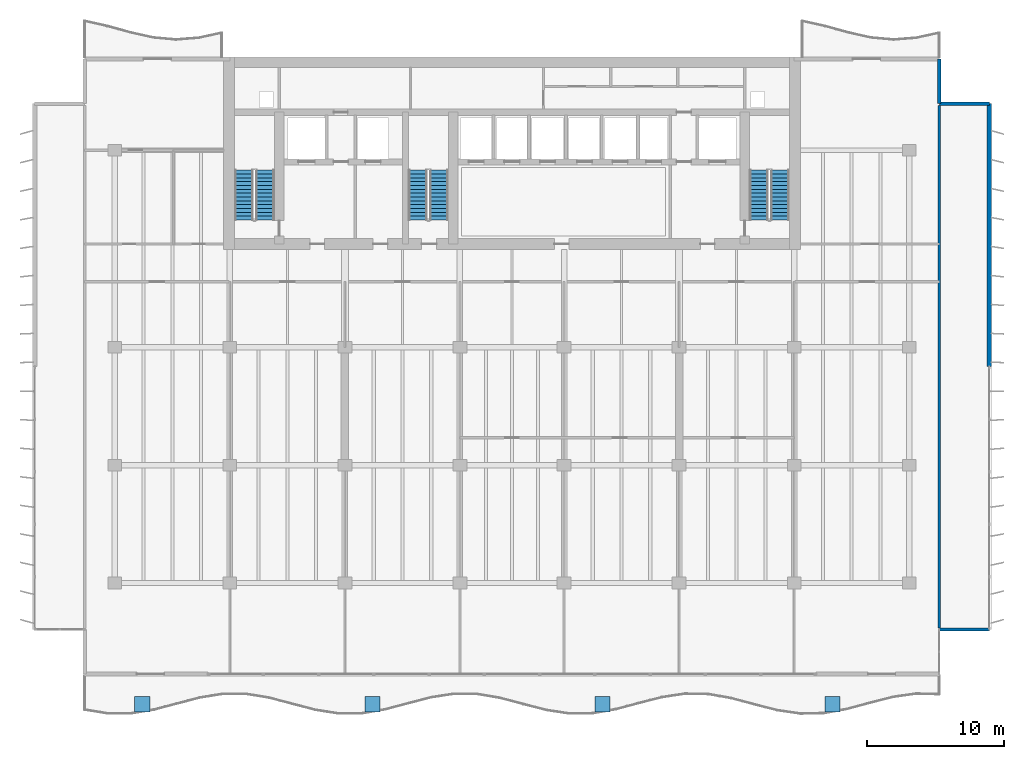
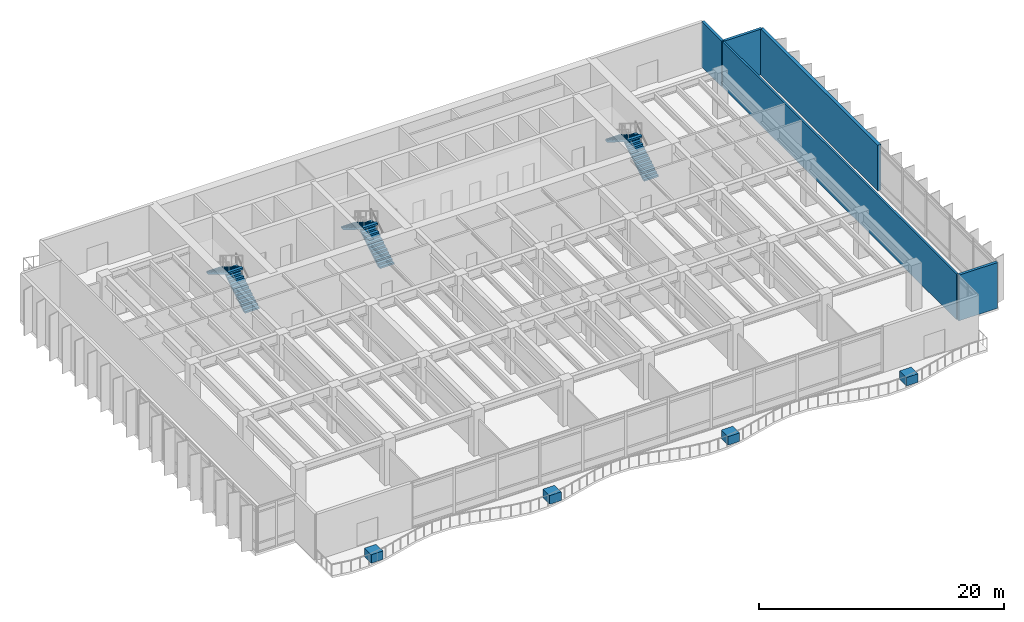
# One storey, part 12 of 16: 6 stair flights, 5 walls, 4 discrete accessories, 3 elements without a shape of their own.
"""IFC4 building model written with IfcOpenShell, lengths in metres."""

import ifcopenshell
import ifcopenshell.guid

model = None  # the IFC model being written
_history = None  # IfcOwnerHistory: only IFC2X3 demands one
_inside = {}  # id of a spatial element -> (the spatial element, [elements in it])
_under = {}  # id of a project, library or spatial element -> (it, [spatial elements below it])
_declared = {}  # id of a project -> (the project, [libraries it declares])
_typed = {}  # id of a type object -> (the type object, [elements of that type])
_made_of = {}  # id of a material, layer set ... -> (it, [elements and type objects made of it])


def new_model(schema):
    """Start an empty IFC model of exactly this schema.

    Asked for "IFC4X3", IfcOpenShell would pick the latest addendum, in which some entities
    have other attributes; the version numbers below select the first issue.
    IFC2X3 requires an IfcOwnerHistory on every rooted entity: one is made here for all.
    """
    global model, _history
    if schema == "IFC4X3":
        model = ifcopenshell.file(schema_version=(4, 3, 0, 0))
    else:
        model = ifcopenshell.file(schema=schema)
    _inside.clear()
    _under.clear()
    _declared.clear()
    _typed.clear()
    _made_of.clear()
    _history = None
    if model.schema == "IFC2X3":
        org = make("IfcOrganization", Name="unknown")
        user = make(
            "IfcPersonAndOrganization",
            ThePerson=make("IfcPerson", FamilyName="unknown"),
            TheOrganization=org,
        )
        app = make(
            "IfcApplication",
            ApplicationDeveloper=org,
            Version="unknown",
            ApplicationFullName="unknown",
            ApplicationIdentifier="unknown",
        )
        _history = make(
            "IfcOwnerHistory",
            OwningUser=user,
            OwningApplication=app,
            ChangeAction="ADDED",
            CreationDate=0,
        )
    return model


def make(cls, **values):
    """One entity of the class cls with the attributes given. An attribute that is None is left unset."""
    return model.create_entity(
        cls, **{name: value for name, value in values.items() if value is not None}
    )


def rooted(cls, **values):
    """An entity with a GlobalId (a new one), such as an element, a storey or a relation."""
    return make(cls, GlobalId=ifcopenshell.guid.new(), OwnerHistory=_history, **values)


def si_unit(unit_type, name, prefix=None):
    """IfcSIUnit, for example si_unit("LENGTHUNIT", "METRE", prefix="MILLI")."""
    return make("IfcSIUnit", UnitType=unit_type, Prefix=prefix, Name=name)


def assignment(units):
    """IfcUnitAssignment: the units of a project."""
    return None if units is None else make("IfcUnitAssignment", Units=units)


def point(xyz):
    """IfcCartesianPoint."""
    return None if xyz is None else make("IfcCartesianPoint", Coordinates=xyz)


def direction(xyz):
    """IfcDirection."""
    return None if xyz is None else make("IfcDirection", DirectionRatios=xyz)


def frame(location, z_axis=None, x_axis=None):
    """IfcAxis2Placement3D, a coordinate frame: its origin and axes. An axis left out is left unset."""
    return make(
        "IfcAxis2Placement3D",
        Location=point(location),
        Axis=direction(z_axis),
        RefDirection=direction(x_axis),
    )


def frame_2d(location, x_axis=None):
    """IfcAxis2Placement2D, a coordinate frame in the plane: its origin and x axis."""
    return make(
        "IfcAxis2Placement2D", Location=point(location), RefDirection=direction(x_axis)
    )


def origin():
    """The frame at (0, 0, 0) with its axes left unset."""
    return frame((0.0, 0.0, 0.0))


def origin_2d():
    """The frame at (0, 0) in the plane with its x axis left unset."""
    return frame_2d((0.0, 0.0))


def place(relative_to, where):
    """IfcLocalPlacement: puts the frame where relative to a parent placement (None: the world)."""
    return make(
        "IfcLocalPlacement", PlacementRelTo=relative_to, RelativePlacement=where
    )


def context(
    kind, dimensions, precision=None, world=None, true_north=None, identifier=None
):
    """IfcGeometricRepresentationContext, for example the 3D "Model" context."""
    return make(
        "IfcGeometricRepresentationContext",
        ContextIdentifier=identifier,
        ContextType=kind,
        CoordinateSpaceDimension=dimensions,
        Precision=precision,
        WorldCoordinateSystem=world,
        TrueNorth=true_north,
    )


def subcontext(parent, identifier, kind, view, scale=None):
    """IfcGeometricRepresentationSubContext, for example "Body" below "Model"."""
    return make(
        "IfcGeometricRepresentationSubContext",
        ContextIdentifier=identifier,
        ContextType=kind,
        ParentContext=parent,
        TargetScale=scale,
        TargetView=view,
    )


def project(units=None, contexts=None):
    """IfcProject with its units and contexts."""
    return rooted(
        "IfcProject",
        Name="project",
        RepresentationContexts=contexts,
        UnitsInContext=assignment(units),
    )


def spatial(cls, under=None, at=None, **own):
    """A site, building, storey or space (cls), placed at a placement, below another one or the project."""
    s = rooted(cls, ObjectPlacement=at, **own)
    if under is not None:
        _under.setdefault(under.id(), (under, []))[1].append(s)
    return s


def polyline(points):
    """IfcPolyline through the points."""
    return make("IfcPolyline", Points=[point(p) for p in points])


def profile(cls, at=None, kind="AREA", **sizes):
    """A parametric profile (cls). Its sizes go by their IFC names, for example OverallWidth=200.0."""
    return make(cls, ProfileType=kind, Position=at, **sizes)


def rectangle(**sizes):
    """IfcRectangleProfileDef."""
    return profile("IfcRectangleProfileDef", **sizes)


def outline(outer, holes=None, kind="AREA"):
    """IfcArbitraryClosedProfileDef: a profile drawn as a closed curve; with holes, ...WithVoids."""
    if holes is None:
        return make("IfcArbitraryClosedProfileDef", ProfileType=kind, OuterCurve=outer)
    return make(
        "IfcArbitraryProfileDefWithVoids",
        ProfileType=kind,
        OuterCurve=outer,
        InnerCurves=holes,
    )


def extrude(swept, where, along, depth):
    """IfcExtrudedAreaSolid: the profile swept, set in the frame where, extruded along a direction by depth."""
    return make(
        "IfcExtrudedAreaSolid",
        SweptArea=swept,
        Position=where,
        ExtrudedDirection=direction(along),
        Depth=depth,
    )


def shape(context_of_items, identifier, shape_type, items):
    """IfcShapeRepresentation: the items that make up one representation, for example the "Body"."""
    return make(
        "IfcShapeRepresentation",
        ContextOfItems=context_of_items,
        RepresentationIdentifier=identifier,
        RepresentationType=shape_type,
        Items=items,
    )


def material(Name=None, Category=None):
    """IfcMaterial."""
    return make("IfcMaterial", Name=Name, Category=Category)


def layer(
    of_material, thickness, ventilated=None, Name=None, Category=None, Priority=None
):
    """IfcMaterialLayer: one layer of a wall or slab, of a material (None: an air gap)."""
    return make(
        "IfcMaterialLayer",
        Material=of_material,
        LayerThickness=thickness,
        IsVentilated=ventilated,
        Name=Name,
        Category=Category,
        Priority=Priority,
    )


def layer_set(layers, Name=None):
    """IfcMaterialLayerSet."""
    return make("IfcMaterialLayerSet", MaterialLayers=layers, LayerSetName=Name)


def made_of(thing, what):
    """Note that an element or type object is made of a material, layer set ...; save() writes the relation."""
    if what is not None:
        _made_of.setdefault(what.id(), (what, []))[1].append(thing)
    return thing


def type_object(cls, material=None, **own):
    """A type object (cls), such as IfcWallType, which elements share."""
    return made_of(rooted(cls, **own), material)


def element(
    cls,
    number,
    at=None,
    inside=None,
    cuts=None,
    type_object=None,
    material=None,
    context=None,
    identifier="Body",
    shape_type=None,
    held_by="IfcProductDefinitionShape",
    body=None,
    shapes=None,
    **own,
):
    """One element of the class cls, such as IfcWall. Its Tag is "e" and its number.

    at: its placement. inside: the storey or other place that contains it. cuts: it is an
    opening in that element (IfcRelVoidsElement). A single representation is given by context,
    identifier, shape_type and body (its items); several are given by shapes. held_by: the class
    of the entity that holds the representations. save() writes the other relations.
    """
    e = rooted(cls, Tag="e%d" % number, ObjectPlacement=at, **own)
    if body is not None:
        shapes = [shape(context, identifier, shape_type, body)]
    if shapes is not None:
        e.Representation = make(held_by, Representations=shapes)
    if inside is not None:
        _inside.setdefault(inside.id(), (inside, []))[1].append(e)
    if cuts is not None:
        rooted(
            "IfcRelVoidsElement", RelatingBuildingElement=cuts, RelatedOpeningElement=e
        )
    if type_object is not None:
        _typed.setdefault(type_object.id(), (type_object, []))[1].append(e)
    return made_of(e, material)


def aggregate(whole, parts):
    """IfcRelAggregates: a whole, such as a stair, and the parts it consists of."""
    return rooted("IfcRelAggregates", RelatingObject=whole, RelatedObjects=parts)


def save(model, path):
    """Write the relations noted so far, then the file.

    IfcRelAggregates (storeys below a building ...), IfcRelContainedInSpatialStructure (elements
    in a storey), IfcRelDefinesByType, IfcRelAssociatesMaterial and IfcRelDeclares: one each for
    every whole, place, type object, material and project.
    """
    for whole, parts in _under.values():
        aggregate(whole, parts)
    for where, things in _inside.values():
        rooted(
            "IfcRelContainedInSpatialStructure",
            RelatedElements=things,
            RelatingStructure=where,
        )
    for kind, things in _typed.values():
        rooted("IfcRelDefinesByType", RelatedObjects=things, RelatingType=kind)
    for what, things in _made_of.values():
        rooted("IfcRelAssociatesMaterial", RelatedObjects=things, RelatingMaterial=what)
    for by, libraries in _declared.values():
        rooted("IfcRelDeclares", RelatingContext=by, RelatedDefinitions=libraries)
    model.write(path)


model = new_model("IFC4")

# Units and contexts
model_context = context("Model", 3, precision=1e-05, world=origin(), true_north=direction((0.0, 1.0)))
body_context = subcontext(model_context, "Body", "Model", "MODEL_VIEW")
ifc_project = project(units=[si_unit("LENGTHUNIT", "METRE"), si_unit("AREAUNIT", "SQUARE_METRE"), si_unit("VOLUMEUNIT", "CUBIC_METRE"), si_unit("PLANEANGLEUNIT", "RADIAN"), si_unit("MASSUNIT", "GRAM", prefix="KILO")], contexts=[model_context])

# Site, building, storey
site_placement = place(None, origin())
site = spatial("IfcSite", under=ifc_project, at=site_placement, CompositionType="ELEMENT")
building_placement = place(site_placement, origin())
building = spatial("IfcBuilding", under=site, at=building_placement, Name="Caelmar Bay Residences", CompositionType="ELEMENT")
storey_placement = place(building_placement, frame((0.0, 0.0, 97.800048828125)))
storey = spatial("IfcBuildingStorey", under=building, at=storey_placement, Name="L26", CompositionType="ELEMENT", Elevation=97.800048828125)

# Walls
ifc_material_1 = material(Name="Double-stud acoustic fire-rated gypsum partition 180 mm")
ifc_layer_1 = layer(ifc_material_1, 0.179931640625)
ifc_layer_set_1 = layer_set([ifc_layer_1], Name="Double-stud acoustic fire-rated gypsum partition 180 mm")
wall_type_1 = type_object("IfcWallType", Name="W-COR-200", PredefinedType="PARTITIONING", material=ifc_layer_set_1)
wall_1_placement = place(storey_placement, frame((70.10009765625, 8.919921875, 0.0), z_axis=(0.0, 0.0, 1.0), x_axis=(0.0, 1.0, 0.0)))
element("IfcWall", 1, at=wall_1_placement, inside=storey, type_object=wall_type_1, Name="L26 Partition Wall V028", PredefinedType="PARTITIONING", context=body_context, shape_type="SweptSolid", body=[
    extrude(rectangle(XDim=38.16015625, YDim=0.179931640625, at=frame_2d((19.080078125, 0.0))), origin(), (0.0, 0.0, 1.0), 4.550048828125),
])
ifc_material_2 = material(Name="Precast concrete f'c 40 MPa (6,000 psi)", Category="concrete")
ifc_layer_2 = layer(ifc_material_2, 0.25)
ifc_layer_set_2 = layer_set([ifc_layer_2], Name="Precast concrete f'c 40 MPa (6,000 psi)")
wall_type_2 = type_object("IfcWallType", Name="W-EXT-250", PredefinedType="ELEMENTEDWALL", material=ifc_layer_set_2)
wall_2_placement = place(storey_placement, frame((70.10009765625, 8.800048828125, 0.0), z_axis=(0.0, 0.0, 1.0), x_axis=(1.0, 0.0, 0.0)))
element("IfcWall", 2, at=wall_2_placement, inside=storey, type_object=wall_type_2, Name="L26 SE Notch Return Wall", PredefinedType="ELEMENTEDWALL", context=body_context, shape_type="SweptSolid", body=[
    extrude(rectangle(XDim=3.64990234375, YDim=0.25, at=frame_2d((1.824951171875, 0.0))), origin(), (0.0, 0.0, 1.0), 4.550048828125),
])
wall_3_placement = place(storey_placement, frame((70.10009765625, 50.449951171875, 0.0), z_axis=(0.0, 0.0, 1.0), x_axis=(0.0, -1.0, 0.0)))
element("IfcWall", 3, at=wall_3_placement, inside=storey, type_object=wall_type_2, Name="L26 NNE-V Notch Wall", PredefinedType="ELEMENTEDWALL", context=body_context, shape_type="SweptSolid", body=[
    extrude(rectangle(XDim=3.25, YDim=0.25, at=frame_2d((1.625, 0.0))), origin(), (0.0, 0.0, 1.0), 4.550048828125),
])
wall_4_placement = place(storey_placement, frame((70.10009765625, 47.199951171875, 0.0), z_axis=(0.0, 0.0, 1.0), x_axis=(1.0, 0.0, 0.0)))
element("IfcWall", 4, at=wall_4_placement, inside=storey, type_object=wall_type_2, Name="L26 NNE-H Notch Wall", PredefinedType="ELEMENTEDWALL", context=body_context, shape_type="SweptSolid", body=[
    extrude(rectangle(XDim=3.64990234375, YDim=0.25, at=frame_2d((1.824951171875, 0.0))), origin(), (0.0, 0.0, 1.0), 4.550048828125),
])
ifc_layer_3 = layer(ifc_material_2, 0.300048828125)
ifc_layer_set_3 = layer_set([ifc_layer_3], Name="Precast concrete f'c 40 MPa (6,000 psi)")
wall_type_3 = type_object("IfcWallType", Name="W-EXT-300", PredefinedType="STANDARD", material=ifc_layer_set_3)
wall_5_placement = place(storey_placement, frame((73.75, 47.199951171875, 0.0), z_axis=(0.0, 0.0, 1.0), x_axis=(0.0, -1.0, 0.0)))
element("IfcWall", 5, at=wall_5_placement, inside=storey, type_object=wall_type_3, Name="L26 East Rear Exterior Wall", PredefinedType="STANDARD", context=body_context, shape_type="SweptSolid", body=[
    extrude(rectangle(XDim=19.199951171875, YDim=0.300048828125, at=frame_2d((9.60009765625, 0.0))), origin(), (0.0, 0.0, 1.0), 4.550048828125),
])

# Stair, stair flights
ifc_material_3 = material(Name="Concrete f'c 40 MPa (6,000 psi)", Category="concrete")
stair_type = type_object("IfcStairType", Name="ST-TAL-170", PredefinedType="HALF_TURN_STAIR", material=ifc_material_3)
stair_1_placement = place(storey_placement, origin())
stair_1 = element("IfcStair", 6, at=stair_1_placement, inside=storey, type_object=stair_type, Name="L26 West Smokeproof Exit Stair ST1", PredefinedType="HALF_TURN_STAIR")
stair_flight_type = type_object("IfcStairFlightType", Name="STF-1400", PredefinedType="STRAIGHT", material=ifc_material_2)
stair_flight_1_placement = place(storey_placement, frame((20.875, 38.699951171875, 0.0), z_axis=(0.0, 0.0, 1.0), x_axis=(0.0, 1.0, 0.0)))
stair_flight_1 = element("IfcStairFlight", 7, at=stair_flight_1_placement, type_object=stair_flight_type, Name="ST1 flight 1", NumberOfRisers=14, NumberOfTreads=13, PredefinedType="STRAIGHT", RiserHeight=0.171428571, TreadLength=0.28, context=body_context, shape_type="SweptSolid", body=[
    extrude(outline(polyline([(0.0, 0.0), (0.0, 0.17138671875), (0.280029296875, 0.17138671875), (0.280029296875, 0.3427734375), (0.56005859375, 0.3427734375), (0.56005859375, 0.514404296875), (0.840087890625, 0.514404296875), (0.840087890625, 0.685791015625), (1.1201171875, 0.685791015625), (1.1201171875, 0.857177734375), (1.39990234375, 0.857177734375), (1.39990234375, 1.028564453125), (1.679931640625, 1.028564453125), (1.679931640625, 1.199951171875), (1.9599609375, 1.199951171875), (1.9599609375, 1.371337890625), (2.239990234375, 1.371337890625), (2.239990234375, 1.54296875), (2.52001953125, 1.54296875), (2.52001953125, 1.71435546875), (2.800048828125, 1.71435546875), (2.800048828125, 1.8857421875), (3.080078125, 1.8857421875), (3.080078125, 2.05712890625), (3.360107421875, 2.05712890625), (3.360107421875, 2.228515625), (3.639892578125, 2.228515625), (3.639892578125, 2.39990234375), (3.639892578125, 2.052734375), (0.287109375, 0.0), (0.0, 0.0)])), frame((0.0, 0.675048828125, 0.0), z_axis=(0.0, -1.0, 0.0), x_axis=(1.0, 0.0, 0.0)), (0.0, 0.0, 1.0), 1.35009765625),
])
stair_flight_2_placement = place(storey_placement, frame((19.324951171875, 42.340087890625, 2.39990234375), z_axis=(0.0, 0.0, 1.0), x_axis=(0.0, -1.0, 0.0)))
stair_flight_2 = element("IfcStairFlight", 8, at=stair_flight_2_placement, type_object=stair_flight_type, Name="ST1 flight 2", NumberOfRisers=14, NumberOfTreads=13, PredefinedType="STRAIGHT", RiserHeight=0.171428571, TreadLength=0.28, context=body_context, shape_type="SweptSolid", body=[
    extrude(outline(polyline([(0.0, 0.0), (0.0, 0.17138671875), (0.280029296875, 0.17138671875), (0.280029296875, 0.3427734375), (0.56005859375, 0.3427734375), (0.56005859375, 0.514404296875), (0.840087890625, 0.514404296875), (0.840087890625, 0.685791015625), (1.1201171875, 0.685791015625), (1.1201171875, 0.857177734375), (1.39990234375, 0.857177734375), (1.39990234375, 1.028564453125), (1.679931640625, 1.028564453125), (1.679931640625, 1.199951171875), (1.9599609375, 1.199951171875), (1.9599609375, 1.371337890625), (2.239990234375, 1.371337890625), (2.239990234375, 1.54296875), (2.52001953125, 1.54296875), (2.52001953125, 1.71435546875), (2.800048828125, 1.71435546875), (2.800048828125, 1.8857421875), (3.080078125, 1.8857421875), (3.080078125, 2.05712890625), (3.360107421875, 2.05712890625), (3.360107421875, 2.228515625), (3.639892578125, 2.228515625), (3.639892578125, 2.39990234375), (3.639892578125, 2.052734375), (0.287109375, 0.0), (0.0, 0.0)])), frame((0.0, 0.675048828125, 0.0), z_axis=(0.0, -1.0, 0.0), x_axis=(1.0, 0.0, 0.0)), (0.0, 0.0, 1.0), 1.35009765625),
])
aggregate(stair_1, [stair_flight_1, stair_flight_2])

stair_2_placement = place(storey_placement, origin())
stair_2 = element("IfcStair", 9, at=stair_2_placement, inside=storey, type_object=stair_type, Name="L26 East Smokeproof Exit Stair ST2", PredefinedType="HALF_TURN_STAIR")
stair_flight_3_placement = place(storey_placement, frame((58.47509765625, 38.699951171875, 0.0), z_axis=(0.0, 0.0, 1.0), x_axis=(0.0, 1.0, 0.0)))
stair_flight_3 = element("IfcStairFlight", 10, at=stair_flight_3_placement, type_object=stair_flight_type, Name="ST2 flight 1", NumberOfRisers=14, NumberOfTreads=13, PredefinedType="STRAIGHT", RiserHeight=0.171428571, TreadLength=0.28, context=body_context, shape_type="SweptSolid", body=[
    extrude(outline(polyline([(0.0, 0.0), (0.0, 0.17138671875), (0.280029296875, 0.17138671875), (0.280029296875, 0.3427734375), (0.56005859375, 0.3427734375), (0.56005859375, 0.514404296875), (0.840087890625, 0.514404296875), (0.840087890625, 0.685791015625), (1.1201171875, 0.685791015625), (1.1201171875, 0.857177734375), (1.39990234375, 0.857177734375), (1.39990234375, 1.028564453125), (1.679931640625, 1.028564453125), (1.679931640625, 1.199951171875), (1.9599609375, 1.199951171875), (1.9599609375, 1.371337890625), (2.239990234375, 1.371337890625), (2.239990234375, 1.54296875), (2.52001953125, 1.54296875), (2.52001953125, 1.71435546875), (2.800048828125, 1.71435546875), (2.800048828125, 1.8857421875), (3.080078125, 1.8857421875), (3.080078125, 2.05712890625), (3.360107421875, 2.05712890625), (3.360107421875, 2.228515625), (3.639892578125, 2.228515625), (3.639892578125, 2.39990234375), (3.639892578125, 2.052734375), (0.287109375, 0.0), (0.0, 0.0)])), frame((0.0, 0.675048828125, 0.0), z_axis=(0.0, -1.0, 0.0), x_axis=(1.0, 0.0, 0.0)), (0.0, 0.0, 1.0), 1.35009765625),
])
stair_flight_4_placement = place(storey_placement, frame((56.925048828125, 42.340087890625, 2.39990234375), z_axis=(0.0, 0.0, 1.0), x_axis=(0.0, -1.0, 0.0)))
stair_flight_4 = element("IfcStairFlight", 11, at=stair_flight_4_placement, type_object=stair_flight_type, Name="ST2 flight 2", NumberOfRisers=14, NumberOfTreads=13, PredefinedType="STRAIGHT", RiserHeight=0.171428571, TreadLength=0.28, context=body_context, shape_type="SweptSolid", body=[
    extrude(outline(polyline([(0.0, 0.0), (0.0, 0.17138671875), (0.280029296875, 0.17138671875), (0.280029296875, 0.3427734375), (0.56005859375, 0.3427734375), (0.56005859375, 0.514404296875), (0.840087890625, 0.514404296875), (0.840087890625, 0.685791015625), (1.1201171875, 0.685791015625), (1.1201171875, 0.857177734375), (1.39990234375, 0.857177734375), (1.39990234375, 1.028564453125), (1.679931640625, 1.028564453125), (1.679931640625, 1.199951171875), (1.9599609375, 1.199951171875), (1.9599609375, 1.371337890625), (2.239990234375, 1.371337890625), (2.239990234375, 1.54296875), (2.52001953125, 1.54296875), (2.52001953125, 1.71435546875), (2.800048828125, 1.71435546875), (2.800048828125, 1.8857421875), (3.080078125, 1.8857421875), (3.080078125, 2.05712890625), (3.360107421875, 2.05712890625), (3.360107421875, 2.228515625), (3.639892578125, 2.228515625), (3.639892578125, 2.39990234375), (3.639892578125, 2.052734375), (0.287109375, 0.0), (0.0, 0.0)])), frame((0.0, 0.675048828125, 0.0), z_axis=(0.0, -1.0, 0.0), x_axis=(1.0, 0.0, 0.0)), (0.0, 0.0, 1.0), 1.35009765625),
])
aggregate(stair_2, [stair_flight_3, stair_flight_4])

stair_3_placement = place(storey_placement, origin())
stair_3 = element("IfcStair", 12, at=stair_3_placement, inside=storey, type_object=stair_type, Name="L26 Central Smokeproof Exit Stair ST3", PredefinedType="HALF_TURN_STAIR")
stair_flight_5_placement = place(storey_placement, frame((33.574951171875, 38.699951171875, 0.0), z_axis=(0.0, 0.0, 1.0), x_axis=(0.0, 1.0, 0.0)))
stair_flight_5 = element("IfcStairFlight", 13, at=stair_flight_5_placement, type_object=stair_flight_type, Name="ST3 flight 1", NumberOfRisers=14, NumberOfTreads=13, PredefinedType="STRAIGHT", RiserHeight=0.171428571, TreadLength=0.28, context=body_context, shape_type="SweptSolid", body=[
    extrude(outline(polyline([(0.0, 0.0), (0.0, 0.17138671875), (0.280029296875, 0.17138671875), (0.280029296875, 0.3427734375), (0.56005859375, 0.3427734375), (0.56005859375, 0.514404296875), (0.840087890625, 0.514404296875), (0.840087890625, 0.685791015625), (1.1201171875, 0.685791015625), (1.1201171875, 0.857177734375), (1.39990234375, 0.857177734375), (1.39990234375, 1.028564453125), (1.679931640625, 1.028564453125), (1.679931640625, 1.199951171875), (1.9599609375, 1.199951171875), (1.9599609375, 1.371337890625), (2.239990234375, 1.371337890625), (2.239990234375, 1.54296875), (2.52001953125, 1.54296875), (2.52001953125, 1.71435546875), (2.800048828125, 1.71435546875), (2.800048828125, 1.8857421875), (3.080078125, 1.8857421875), (3.080078125, 2.05712890625), (3.360107421875, 2.05712890625), (3.360107421875, 2.228515625), (3.639892578125, 2.228515625), (3.639892578125, 2.39990234375), (3.639892578125, 2.052734375), (0.287109375, 0.0), (0.0, 0.0)])), frame((0.0, 0.675048828125, 0.0), z_axis=(0.0, -1.0, 0.0), x_axis=(1.0, 0.0, 0.0)), (0.0, 0.0, 1.0), 1.35009765625),
])
stair_flight_6_placement = place(storey_placement, frame((32.02490234375, 42.340087890625, 2.39990234375), z_axis=(0.0, 0.0, 1.0), x_axis=(0.0, -1.0, 0.0)))
stair_flight_6 = element("IfcStairFlight", 14, at=stair_flight_6_placement, type_object=stair_flight_type, Name="ST3 flight 2", NumberOfRisers=14, NumberOfTreads=13, PredefinedType="STRAIGHT", RiserHeight=0.171428571, TreadLength=0.28, context=body_context, shape_type="SweptSolid", body=[
    extrude(outline(polyline([(0.0, 0.0), (0.0, 0.17138671875), (0.280029296875, 0.17138671875), (0.280029296875, 0.3427734375), (0.56005859375, 0.3427734375), (0.56005859375, 0.514404296875), (0.840087890625, 0.514404296875), (0.840087890625, 0.685791015625), (1.1201171875, 0.685791015625), (1.1201171875, 0.857177734375), (1.39990234375, 0.857177734375), (1.39990234375, 1.028564453125), (1.679931640625, 1.028564453125), (1.679931640625, 1.199951171875), (1.9599609375, 1.199951171875), (1.9599609375, 1.371337890625), (2.239990234375, 1.371337890625), (2.239990234375, 1.54296875), (2.52001953125, 1.54296875), (2.52001953125, 1.71435546875), (2.800048828125, 1.71435546875), (2.800048828125, 1.8857421875), (3.080078125, 1.8857421875), (3.080078125, 2.05712890625), (3.360107421875, 2.05712890625), (3.360107421875, 2.228515625), (3.639892578125, 2.228515625), (3.639892578125, 2.39990234375), (3.639892578125, 2.052734375), (0.287109375, 0.0), (0.0, 0.0)])), frame((0.0, 0.675048828125, 0.0), z_axis=(0.0, -1.0, 0.0), x_axis=(1.0, 0.0, 0.0)), (0.0, 0.0, 1.0), 1.35009765625),
])
aggregate(stair_3, [stair_flight_5, stair_flight_6])

# Discrete accessories
ifc_material_4 = material(Name="Architectural bronze GRC planter trough with volcanic-lapilli substrate")
discrete_accessory_type = type_object("IfcDiscreteAccessoryType", Name="ACC-PLANTER-1100", PredefinedType="USERDEFINED", material=ifc_material_4)
for number, where, z_axis, x_axis, name in (
    (15, (11.89990234375, 3.34326171875, 0.0), (0.0, 0.0, 1.0), (1.0, 0.0, 0.0), "L26 Balcony Structural Tree Planter 1"),
    (16, (28.699951171875, 3.34326171875, 0.0), (0.0, 0.0, 1.0), (1.0, 0.0, 0.0), "L26 Balcony Structural Tree Planter 2"),
    (17, (45.5, 3.34326171875, 0.0), (0.0, 0.0, 1.0), (1.0, 0.0, 0.0), "L26 Balcony Structural Tree Planter 3"),
    (18, (62.300048828125, 3.34326171875, 0.0), (0.0, 0.0, 1.0), (1.0, 0.0, 0.0), "L26 Balcony Structural Tree Planter 4"),
):
    element("IfcDiscreteAccessory", number, at=place(storey_placement, frame(where, z_axis=z_axis, x_axis=x_axis)), inside=storey, type_object=discrete_accessory_type, Name=name, ObjectType="PLANTER", PredefinedType="USERDEFINED", context=body_context, shape_type="SweptSolid", body=[
        extrude(rectangle(XDim=1.10009765625, YDim=1.10009765625, at=origin_2d()), origin(), (0.0, 0.0, 1.0), 0.85009765625),
    ])

save(model, "model.ifc")
